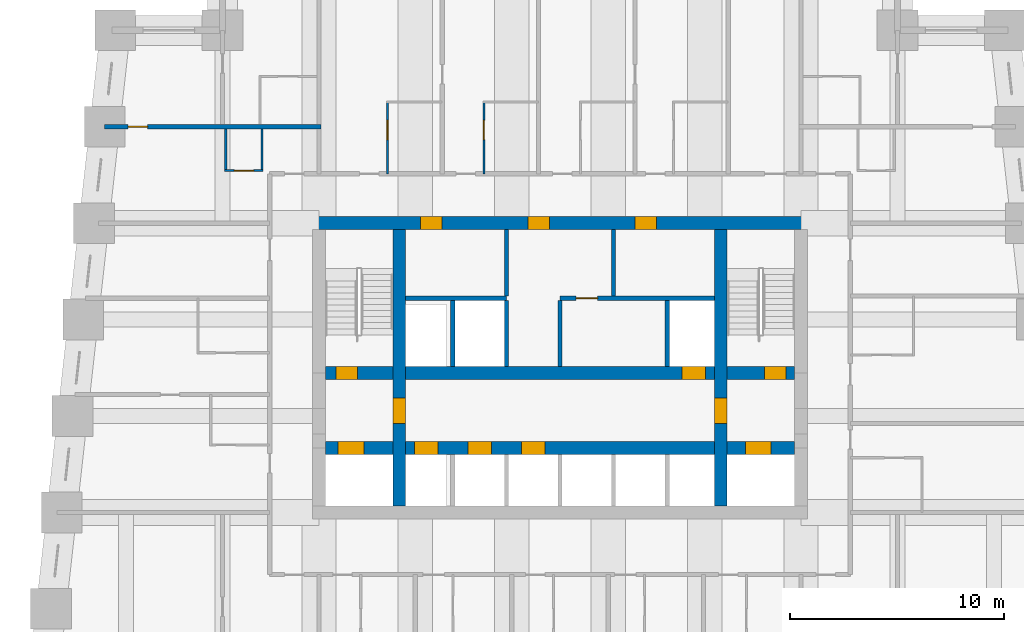
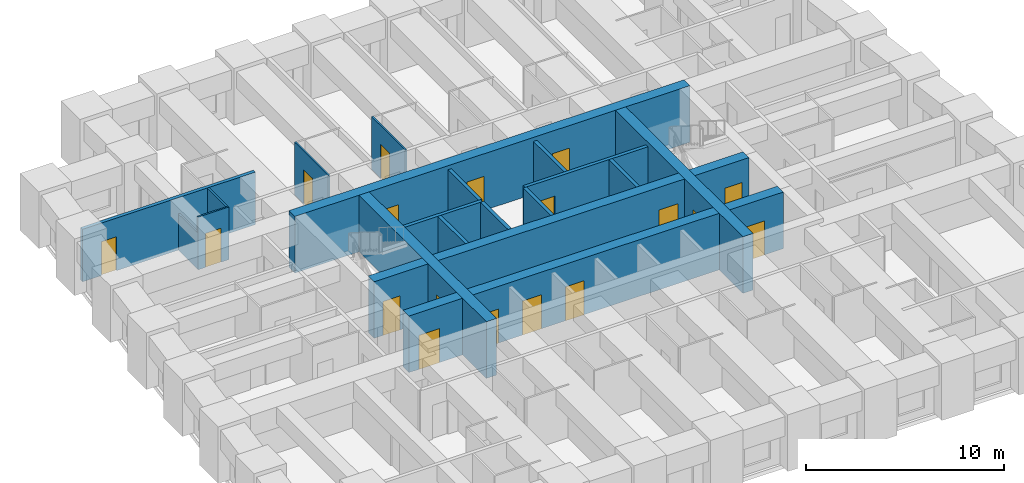
# One storey, part 4 of 8: 19 walls, 18 doors, 18 openings.
"""IFC4 building model written with IfcOpenShell, lengths in metres."""

from ifc_helpers import new_model, si_unit, direction, frame, frame_2d, origin, place, context, subcontext, project, spatial, rectangle, extrude, material, layer, layer_set, type_object, element, fill, save


model = new_model("IFC4")

# Units and contexts
model_context = context("Model", 3, precision=1e-05, world=origin(), true_north=direction((0.0, 1.0)))
body_context = subcontext(model_context, "Body", "Model", "MODEL_VIEW")
ifc_project = project(units=[si_unit("LENGTHUNIT", "METRE"), si_unit("AREAUNIT", "SQUARE_METRE"), si_unit("VOLUMEUNIT", "CUBIC_METRE"), si_unit("PLANEANGLEUNIT", "RADIAN"), si_unit("MASSUNIT", "GRAM", prefix="KILO")], contexts=[model_context])

# Site, building, storey
site_placement = place(None, origin())
site = spatial("IfcSite", under=ifc_project, at=site_placement, CompositionType="ELEMENT")
building_placement = place(site_placement, origin())
building = spatial("IfcBuilding", under=site, at=building_placement, Name="Kilele Tower Hotel", CompositionType="ELEMENT")
storey_placement = place(building_placement, frame((0.0, 0.0, 78.699951171875)))
storey = spatial("IfcBuildingStorey", under=building, at=storey_placement, Name="L19", CompositionType="ELEMENT", Elevation=78.699951171875)

# Wall, opening, door
ifc_material_1 = material(Name="Moisture-resistant board")
ifc_layer_1 = layer(ifc_material_1, 0.10009765625)
ifc_layer_set_1 = layer_set([ifc_layer_1], Name="Moisture-resistant board")
wall_type_1 = type_object("IfcWallType", Name="Bathroom partition 100", PredefinedType="PLUMBINGWALL", material=ifc_layer_set_1)
wall_1_placement = place(storey_placement, frame((16.699951171875, 29.300048828125, 0.0), z_axis=(0.0, 0.0, 1.0), x_axis=(0.0, 1.0, 0.0)))
wall_1 = element("IfcWall", 1, at=wall_1_placement, inside=storey, type_object=wall_type_1, Name="Bathroom partition 100 L19", PredefinedType="PLUMBINGWALL", context=body_context, shape_type="SweptSolid", body=[
    extrude(rectangle(XDim=3.39990234375, YDim=0.10009765625, at=frame_2d((1.699951171875, 0.0))), origin(), (0.0, 0.0, 1.0), 3.25),
])
opening_1_placement = place(wall_1_placement, frame((1.60009765625, 0.0, 0.0)))
opening_1 = element("IfcOpeningElement", 2, at=opening_1_placement, cuts=wall_1, Name="Opening D2A", PredefinedType="OPENING", context=body_context, shape_type="SweptSolid", body=[
    extrude(rectangle(XDim=0.89990234375, YDim=2.10009765625, at=frame_2d((0.449951171875, 1.050048828125))), frame((0.0, 0.06005859375, 0.0), z_axis=(0.0, -1.0, 0.0), x_axis=(1.0, 0.0, 0.0)), (0.0, 0.0, 1.0), 0.1201171875),
])
ifc_material_2 = material(Name="Timber door leaf in hardwood frame", Category="wood")
door_type_1 = type_object("IfcDoorType", Name="Bathroom door 900", OperationType="SINGLE_SWING_LEFT", PredefinedType="DOOR", material=ifc_material_2)
door_1_placement = place(opening_1_placement, origin())
door_1 = element("IfcDoor", 3, at=door_1_placement, inside=storey, type_object=door_type_1, Name="Bathroom door 1909B", OperationType="SINGLE_SWING_LEFT", OverallHeight=2.10009765625, OverallWidth=0.89990234375, PredefinedType="DOOR", context=body_context, shape_type="SweptSolid", body=[
    extrude(rectangle(XDim=0.89990234375, YDim=2.10009765625, at=frame_2d((0.449951171875, 1.050048828125))), frame((0.0, 0.02490234375, 0.0), z_axis=(0.0, -1.0, 0.0), x_axis=(1.0, 0.0, 0.0)), (0.0, 0.0, 1.0), 0.050048828125),
])
fill(opening_1, door_1)

wall_2_placement = place(storey_placement, frame((21.199951171875, 29.300048828125, 0.0), z_axis=(0.0, 0.0, 1.0), x_axis=(0.0, 1.0, 0.0)))
wall_2 = element("IfcWall", 4, at=wall_2_placement, inside=storey, type_object=wall_type_1, Name="Bathroom partition 100 L19", PredefinedType="PLUMBINGWALL", context=body_context, shape_type="SweptSolid", body=[
    extrude(rectangle(XDim=3.39990234375, YDim=0.10009765625, at=frame_2d((1.699951171875, 0.0))), origin(), (0.0, 0.0, 1.0), 3.25),
])
opening_2_placement = place(wall_2_placement, frame((1.60009765625, 0.0, 0.0)))
opening_2 = element("IfcOpeningElement", 5, at=opening_2_placement, cuts=wall_2, Name="Opening D2A", PredefinedType="OPENING", context=body_context, shape_type="SweptSolid", body=[
    extrude(rectangle(XDim=0.89990234375, YDim=2.10009765625, at=frame_2d((0.449951171875, 1.050048828125))), frame((0.0, 0.06005859375, 0.0), z_axis=(0.0, -1.0, 0.0), x_axis=(1.0, 0.0, 0.0)), (0.0, 0.0, 1.0), 0.1201171875),
])
door_2_placement = place(opening_2_placement, origin())
door_2 = element("IfcDoor", 6, at=door_2_placement, inside=storey, type_object=door_type_1, Name="Bathroom door 1910B", OperationType="SINGLE_SWING_LEFT", OverallHeight=2.10009765625, OverallWidth=0.89990234375, PredefinedType="DOOR", context=body_context, shape_type="SweptSolid", body=[
    extrude(rectangle(XDim=0.89990234375, YDim=2.10009765625, at=frame_2d((0.449951171875, 1.050048828125))), frame((0.0, 0.02490234375, 0.0), z_axis=(0.0, -1.0, 0.0), x_axis=(1.0, 0.0, 0.0)), (0.0, 0.0, 1.0), 0.050048828125),
])
fill(opening_2, door_2)

# Walls
wall_3_placement = place(storey_placement, frame((9.14990234375, 31.39990234375, 0.0), z_axis=(0.0, 0.0, 1.0), x_axis=(0.0, -1.0, 0.0)))
element("IfcWall", 7, at=wall_3_placement, inside=storey, type_object=wall_type_1, Name="Bathroom partition 100 L19", PredefinedType="PLUMBINGWALL", context=body_context, shape_type="SweptSolid", body=[
    extrude(rectangle(XDim=2.0, YDim=0.10009765625, at=frame_2d((1.0, 0.0))), origin(), (0.0, 0.0, 1.0), 2.25),
])
wall_4_placement = place(storey_placement, frame((10.85009765625, 31.39990234375, 0.0), z_axis=(0.0, 0.0, 1.0), x_axis=(0.0, -1.0, 0.0)))
element("IfcWall", 8, at=wall_4_placement, inside=storey, type_object=wall_type_1, Name="Bathroom partition 100 L19", PredefinedType="PLUMBINGWALL", context=body_context, shape_type="SweptSolid", body=[
    extrude(rectangle(XDim=2.0, YDim=0.10009765625, at=frame_2d((1.0, 0.0))), origin(), (0.0, 0.0, 1.0), 3.25),
])

# Wall, opening, door
wall_5_placement = place(storey_placement, frame((10.89990234375, 29.449951171875, 0.0), z_axis=(0.0, 0.0, 1.0), x_axis=(-1.0, 0.0, 0.0)))
wall_5 = element("IfcWall", 9, at=wall_5_placement, inside=storey, type_object=wall_type_1, Name="Bathroom partition 100 L19", PredefinedType="PLUMBINGWALL", context=body_context, shape_type="SweptSolid", body=[
    extrude(rectangle(XDim=1.7998046875, YDim=0.10009765625, at=frame_2d((0.89990234375, 0.0))), origin(), (0.0, 0.0, 1.0), 3.25),
])
opening_3_placement = place(wall_5_placement, frame((0.449951171875, 0.0, 0.0)))
opening_3 = element("IfcOpeningElement", 10, at=opening_3_placement, cuts=wall_5, Name="Opening D2A", PredefinedType="OPENING", context=body_context, shape_type="SweptSolid", body=[
    extrude(rectangle(XDim=0.89990234375, YDim=2.10009765625, at=frame_2d((0.449951171875, 1.050048828125))), frame((0.0, 0.06005859375, 0.0), z_axis=(0.0, -1.0, 0.0), x_axis=(1.0, 0.0, 0.0)), (0.0, 0.0, 1.0), 0.1201171875),
])
door_3_placement = place(opening_3_placement, origin())
door_3 = element("IfcDoor", 11, at=door_3_placement, inside=storey, type_object=door_type_1, Name="Bathroom door 1926P", OperationType="SINGLE_SWING_LEFT", OverallHeight=2.10009765625, OverallWidth=0.89990234375, PredefinedType="DOOR", context=body_context, shape_type="SweptSolid", body=[
    extrude(rectangle(XDim=0.89990234375, YDim=2.10009765625, at=frame_2d((0.449951171875, 1.050048828125))), frame((0.0, 0.02490234375, 0.0), z_axis=(0.0, -1.0, 0.0), x_axis=(1.0, 0.0, 0.0)), (0.0, 0.0, 1.0), 0.050048828125),
])
fill(opening_3, door_3)

# Wall, openings, doors
ifc_material_3 = material(Name="Concrete C60/75", Category="concrete")
ifc_layer_2 = layer(ifc_material_3, 0.60009765625)
ifc_layer_set_2 = layer_set([ifc_layer_2], Name="Concrete C60/75")
wall_type_2 = type_object("IfcWallType", Name="Core wall 600 C60/75", PredefinedType="SHEAR", material=ifc_layer_set_2)
wall_6_placement = place(storey_placement, frame((36.300048828125, 27.0, 0.0), z_axis=(0.0, 0.0, 1.0), x_axis=(-1.0, 0.0, 0.0)))
wall_6 = element("IfcWall", 12, at=wall_6_placement, inside=storey, type_object=wall_type_2, Name="Core wall N L19", PredefinedType="SHEAR", context=body_context, shape_type="SweptSolid", body=[
    extrude(rectangle(XDim=23.10009765625, YDim=0.60009765625, at=frame_2d((11.550048828125, 0.0))), origin(), (0.0, 0.0, 1.0), 3.5),
])
opening_4_placement = place(wall_6_placement, frame((17.050048828125, 0.0, 0.0)))
opening_4 = element("IfcOpeningElement", 13, at=opening_4_placement, cuts=wall_6, Name="Opening D6", PredefinedType="OPENING", context=body_context, shape_type="SweptSolid", body=[
    extrude(rectangle(XDim=1.0, YDim=2.10009765625, at=frame_2d((0.5, 1.050048828125))), frame((0.0, 0.31005859375, 0.0), z_axis=(0.0, -1.0, 0.0), x_axis=(1.0, 0.0, 0.0)), (0.0, 0.0, 1.0), 0.6201171875),
])
opening_5_placement = place(wall_6_placement, frame((12.050048828125, 0.0, 0.0)))
opening_5 = element("IfcOpeningElement", 14, at=opening_5_placement, cuts=wall_6, Name="Opening D6", PredefinedType="OPENING", context=body_context, shape_type="SweptSolid", body=[
    extrude(rectangle(XDim=1.0, YDim=2.10009765625, at=frame_2d((0.5, 1.050048828125))), frame((0.0, 0.31005859375, 0.0), z_axis=(0.0, -1.0, 0.0), x_axis=(1.0, 0.0, 0.0)), (0.0, 0.0, 1.0), 0.6201171875),
])
opening_6_placement = place(wall_6_placement, frame((7.050048828125, 0.0, 0.0)))
opening_6 = element("IfcOpeningElement", 15, at=opening_6_placement, cuts=wall_6, Name="Opening D6", PredefinedType="OPENING", context=body_context, shape_type="SweptSolid", body=[
    extrude(rectangle(XDim=1.0, YDim=2.10009765625, at=frame_2d((0.5, 1.050048828125))), frame((0.0, 0.31005859375, 0.0), z_axis=(0.0, -1.0, 0.0), x_axis=(1.0, 0.0, 0.0)), (0.0, 0.0, 1.0), 0.6201171875),
])
ifc_material_4 = material(Name="Timber door leaf in hardwood frame", Category="wood")
door_type_2 = type_object("IfcDoorType", Name="Riser door 1000", OperationType="SINGLE_SWING_LEFT", PredefinedType="DOOR", material=ifc_material_4)
door_4_placement = place(opening_4_placement, origin())
door_4 = element("IfcDoor", 16, at=door_4_placement, inside=storey, type_object=door_type_2, Name="Service riser door L19", OperationType="SINGLE_SWING_RIGHT", OverallHeight=2.10009765625, OverallWidth=1.0, PredefinedType="DOOR", context=body_context, shape_type="SweptSolid", body=[
    extrude(rectangle(XDim=1.0, YDim=2.10009765625, at=frame_2d((0.5, 1.050048828125))), frame((0.0, 0.2998046875, 0.0), z_axis=(0.0, -1.0, 0.0), x_axis=(1.0, 0.0, 0.0)), (0.0, 0.0, 1.0), 0.599609375),
])
fill(opening_4, door_4)
door_5_placement = place(opening_5_placement, origin())
door_5 = element("IfcDoor", 17, at=door_5_placement, inside=storey, type_object=door_type_2, Name="Housekeeping linen room door L19", OperationType="SINGLE_SWING_RIGHT", OverallHeight=2.10009765625, OverallWidth=1.0, PredefinedType="DOOR", context=body_context, shape_type="SweptSolid", body=[
    extrude(rectangle(XDim=1.0, YDim=2.10009765625, at=frame_2d((0.5, 1.050048828125))), frame((0.0, 0.2998046875, 0.0), z_axis=(0.0, -1.0, 0.0), x_axis=(1.0, 0.0, 0.0)), (0.0, 0.0, 1.0), 0.599609375),
])
fill(opening_5, door_5)
door_6_placement = place(opening_6_placement, origin())
door_6 = element("IfcDoor", 18, at=door_6_placement, inside=storey, type_object=door_type_2, Name="Electrical riser door L19", OperationType="SINGLE_SWING_RIGHT", OverallHeight=2.10009765625, OverallWidth=1.0, PredefinedType="DOOR", context=body_context, shape_type="SweptSolid", body=[
    extrude(rectangle(XDim=1.0, YDim=2.10009765625, at=frame_2d((0.5, 1.050048828125))), frame((0.0, 0.2998046875, 0.0), z_axis=(0.0, -1.0, 0.0), x_axis=(1.0, 0.0, 0.0)), (0.0, 0.0, 1.0), 0.599609375),
])
fill(opening_6, door_6)

# Wall, opening, door
wall_7_placement = place(storey_placement, frame((17.25, 13.800048828125, 0.0), z_axis=(0.0, 0.0, 1.0), x_axis=(0.0, 1.0, 0.0)))
wall_7 = element("IfcWall", 19, at=wall_7_placement, inside=storey, type_object=wall_type_2, Name="Core wall IW L19", PredefinedType="SHEAR", context=body_context, shape_type="SweptSolid", body=[
    extrude(rectangle(XDim=12.89990234375, YDim=0.60009765625, at=frame_2d((6.449951171875, 0.0))), origin(), (0.0, 0.0, 1.0), 3.5),
])
opening_7_placement = place(wall_7_placement, frame((3.85009765625, 0.0, 0.0)))
opening_7 = element("IfcOpeningElement", 20, at=opening_7_placement, cuts=wall_7, Name="Opening D4", PredefinedType="OPENING", context=body_context, shape_type="SweptSolid", body=[
    extrude(rectangle(XDim=1.199951171875, YDim=2.10009765625, at=frame_2d((0.60009765625, 1.050048828125))), frame((0.0, 0.31005859375, 0.0), z_axis=(0.0, -1.0, 0.0), x_axis=(1.0, 0.0, 0.0)), (0.0, 0.0, 1.0), 0.6201171875),
])
ifc_material_5 = material(Name="Timber door leaf in hardwood frame", Category="wood")
door_type_3 = type_object("IfcDoorType", Name="Firefighting lobby door 1200", OperationType="SINGLE_SWING_LEFT", PredefinedType="DOOR", material=ifc_material_5)
door_7_placement = place(opening_7_placement, origin())
door_7 = element("IfcDoor", 21, at=door_7_placement, inside=storey, type_object=door_type_3, Name="Lobby door L19", OperationType="SINGLE_SWING_LEFT", OverallHeight=2.10009765625, OverallWidth=1.199951171875, PredefinedType="DOOR", context=body_context, shape_type="SweptSolid", body=[
    extrude(rectangle(XDim=1.199951171875, YDim=2.10009765625, at=frame_2d((0.60009765625, 1.050048828125))), frame((0.0, 0.2998046875, 0.0), z_axis=(0.0, -1.0, 0.0), x_axis=(1.0, 0.0, 0.0)), (0.0, 0.0, 1.0), 0.599609375),
])
fill(opening_7, door_7)

wall_8_placement = place(storey_placement, frame((32.25, 13.800048828125, 0.0), z_axis=(0.0, 0.0, 1.0), x_axis=(0.0, 1.0, 0.0)))
wall_8 = element("IfcWall", 22, at=wall_8_placement, inside=storey, type_object=wall_type_2, Name="Core wall IE L19", PredefinedType="SHEAR", context=body_context, shape_type="SweptSolid", body=[
    extrude(rectangle(XDim=12.89990234375, YDim=0.60009765625, at=frame_2d((6.449951171875, 0.0))), origin(), (0.0, 0.0, 1.0), 3.5),
])
opening_8_placement = place(wall_8_placement, frame((5.050048828125, 0.0, 0.0), z_axis=(0.0, 0.0, 1.0), x_axis=(-1.0, 0.0, 0.0)))
opening_8 = element("IfcOpeningElement", 23, at=opening_8_placement, cuts=wall_8, Name="Opening D4", PredefinedType="OPENING", context=body_context, shape_type="SweptSolid", body=[
    extrude(rectangle(XDim=1.199951171875, YDim=2.10009765625, at=frame_2d((0.60009765625, 1.050048828125))), frame((0.0, 0.31005859375, 0.0), z_axis=(0.0, -1.0, 0.0), x_axis=(1.0, 0.0, 0.0)), (0.0, 0.0, 1.0), 0.6201171875),
])
door_8_placement = place(opening_8_placement, origin())
door_8 = element("IfcDoor", 24, at=door_8_placement, inside=storey, type_object=door_type_3, Name="Lobby door L19", OperationType="SINGLE_SWING_RIGHT", OverallHeight=2.10009765625, OverallWidth=1.199951171875, PredefinedType="DOOR", context=body_context, shape_type="SweptSolid", body=[
    extrude(rectangle(XDim=1.199951171875, YDim=2.10009765625, at=frame_2d((0.60009765625, 1.050048828125))), frame((0.0, 0.2998046875, 0.0), z_axis=(0.0, -1.0, 0.0), x_axis=(1.0, 0.0, 0.0)), (0.0, 0.0, 1.0), 0.599609375),
])
fill(opening_8, door_8)

# Wall, openings, doors
wall_9_placement = place(storey_placement, frame((13.800048828125, 16.5, 0.0), z_axis=(0.0, 0.0, 1.0), x_axis=(1.0, 0.0, 0.0)))
wall_9 = element("IfcWall", 25, at=wall_9_placement, inside=storey, type_object=wall_type_2, Name="Core wall LS L19", PredefinedType="SHEAR", context=body_context, shape_type="SweptSolid", body=[
    extrude(rectangle(XDim=21.89990234375, YDim=0.60009765625, at=frame_2d((10.949951171875, 0.0))), origin(), (0.0, 0.0, 1.0), 3.5),
])
opening_9_placement = place(wall_9_placement, frame((4.14990234375, 0.0, 0.0)))
opening_9 = element("IfcOpeningElement", 26, at=opening_9_placement, cuts=wall_9, Name="Opening LD1", PredefinedType="OPENING", context=body_context, shape_type="SweptSolid", body=[
    extrude(rectangle(XDim=1.10009765625, YDim=2.10009765625, at=frame_2d((0.550048828125, 1.050048828125))), frame((0.0, 0.31005859375, 0.0), z_axis=(0.0, -1.0, 0.0), x_axis=(1.0, 0.0, 0.0)), (0.0, 0.0, 1.0), 0.6201171875),
])
opening_10_placement = place(wall_9_placement, frame((6.64990234375, 0.0, 0.0)))
opening_10 = element("IfcOpeningElement", 27, at=opening_10_placement, cuts=wall_9, Name="Opening LD1", PredefinedType="OPENING", context=body_context, shape_type="SweptSolid", body=[
    extrude(rectangle(XDim=1.10009765625, YDim=2.10009765625, at=frame_2d((0.550048828125, 1.050048828125))), frame((0.0, 0.31005859375, 0.0), z_axis=(0.0, -1.0, 0.0), x_axis=(1.0, 0.0, 0.0)), (0.0, 0.0, 1.0), 0.6201171875),
])
opening_11_placement = place(wall_9_placement, frame((9.14990234375, 0.0, 0.0)))
opening_11 = element("IfcOpeningElement", 28, at=opening_11_placement, cuts=wall_9, Name="Opening LD1", PredefinedType="OPENING", context=body_context, shape_type="SweptSolid", body=[
    extrude(rectangle(XDim=1.10009765625, YDim=2.10009765625, at=frame_2d((0.550048828125, 1.050048828125))), frame((0.0, 0.31005859375, 0.0), z_axis=(0.0, -1.0, 0.0), x_axis=(1.0, 0.0, 0.0)), (0.0, 0.0, 1.0), 0.6201171875),
])
opening_12_placement = place(wall_9_placement, frame((0.60009765625, 0.0, 0.0)))
opening_12 = element("IfcOpeningElement", 29, at=opening_12_placement, cuts=wall_9, Name="Opening LD2", PredefinedType="OPENING", context=body_context, shape_type="SweptSolid", body=[
    extrude(rectangle(XDim=1.199951171875, YDim=2.10009765625, at=frame_2d((0.60009765625, 1.050048828125))), frame((0.0, 0.31005859375, 0.0), z_axis=(0.0, -1.0, 0.0), x_axis=(1.0, 0.0, 0.0)), (0.0, 0.0, 1.0), 0.6201171875),
])
opening_13_placement = place(wall_9_placement, frame((19.60009765625, 0.0, 0.0)))
opening_13 = element("IfcOpeningElement", 30, at=opening_13_placement, cuts=wall_9, Name="Opening LD2", PredefinedType="OPENING", context=body_context, shape_type="SweptSolid", body=[
    extrude(rectangle(XDim=1.199951171875, YDim=2.10009765625, at=frame_2d((0.60009765625, 1.050048828125))), frame((0.0, 0.31005859375, 0.0), z_axis=(0.0, -1.0, 0.0), x_axis=(1.0, 0.0, 0.0)), (0.0, 0.0, 1.0), 0.6201171875),
])
ifc_material_6 = material(Name="Steel lift landing door", Category="steel")
door_type_4 = type_object("IfcDoorType", Name="Firefighting lift landing door 1200", OperationType="SLIDING_TO_LEFT", PredefinedType="DOOR", material=ifc_material_6)
door_9_placement = place(opening_12_placement, origin())
door_9 = element("IfcDoor", 31, at=door_9_placement, inside=storey, type_object=door_type_4, Name="Landing door FFW L19", OperationType="SLIDING_TO_LEFT", OverallHeight=2.10009765625, OverallWidth=1.199951171875, PredefinedType="DOOR", context=body_context, shape_type="SweptSolid", body=[
    extrude(rectangle(XDim=1.199951171875, YDim=2.10009765625, at=frame_2d((0.60009765625, 1.050048828125))), frame((0.0, 0.2998046875, 0.0), z_axis=(0.0, -1.0, 0.0), x_axis=(1.0, 0.0, 0.0)), (0.0, 0.0, 1.0), 0.599609375),
])
fill(opening_12, door_9)
door_10_placement = place(opening_13_placement, origin())
door_10 = element("IfcDoor", 32, at=door_10_placement, inside=storey, type_object=door_type_4, Name="Landing door FFE L19", OperationType="SLIDING_TO_LEFT", OverallHeight=2.10009765625, OverallWidth=1.199951171875, PredefinedType="DOOR", context=body_context, shape_type="SweptSolid", body=[
    extrude(rectangle(XDim=1.199951171875, YDim=2.10009765625, at=frame_2d((0.60009765625, 1.050048828125))), frame((0.0, 0.2998046875, 0.0), z_axis=(0.0, -1.0, 0.0), x_axis=(1.0, 0.0, 0.0)), (0.0, 0.0, 1.0), 0.599609375),
])
fill(opening_13, door_10)
ifc_material_7 = material(Name="Steel lift landing door", Category="steel")
door_type_5 = type_object("IfcDoorType", Name="Lift landing door 1100", OperationType="SLIDING_TO_LEFT", PredefinedType="DOOR", material=ifc_material_7)
door_11_placement = place(opening_9_placement, origin())
door_11 = element("IfcDoor", 33, at=door_11_placement, inside=storey, type_object=door_type_5, Name="Landing door L1 L19", OperationType="SLIDING_TO_LEFT", OverallHeight=2.10009765625, OverallWidth=1.10009765625, PredefinedType="DOOR", context=body_context, shape_type="SweptSolid", body=[
    extrude(rectangle(XDim=1.10009765625, YDim=2.10009765625, at=frame_2d((0.550048828125, 1.050048828125))), frame((0.0, 0.2998046875, 0.0), z_axis=(0.0, -1.0, 0.0), x_axis=(1.0, 0.0, 0.0)), (0.0, 0.0, 1.0), 0.599609375),
])
fill(opening_9, door_11)
door_12_placement = place(opening_10_placement, origin())
door_12 = element("IfcDoor", 34, at=door_12_placement, inside=storey, type_object=door_type_5, Name="Landing door L2 L19", OperationType="SLIDING_TO_LEFT", OverallHeight=2.10009765625, OverallWidth=1.10009765625, PredefinedType="DOOR", context=body_context, shape_type="SweptSolid", body=[
    extrude(rectangle(XDim=1.10009765625, YDim=2.10009765625, at=frame_2d((0.550048828125, 1.050048828125))), frame((0.0, 0.2998046875, 0.0), z_axis=(0.0, -1.0, 0.0), x_axis=(1.0, 0.0, 0.0)), (0.0, 0.0, 1.0), 0.599609375),
])
fill(opening_10, door_12)
door_13_placement = place(opening_11_placement, origin())
door_13 = element("IfcDoor", 35, at=door_13_placement, inside=storey, type_object=door_type_5, Name="Landing door L3 L19", OperationType="SLIDING_TO_LEFT", OverallHeight=2.10009765625, OverallWidth=1.10009765625, PredefinedType="DOOR", context=body_context, shape_type="SweptSolid", body=[
    extrude(rectangle(XDim=1.10009765625, YDim=2.10009765625, at=frame_2d((0.550048828125, 1.050048828125))), frame((0.0, 0.2998046875, 0.0), z_axis=(0.0, -1.0, 0.0), x_axis=(1.0, 0.0, 0.0)), (0.0, 0.0, 1.0), 0.599609375),
])
fill(opening_11, door_13)

wall_10_placement = place(storey_placement, frame((13.800048828125, 20.0, 0.0), z_axis=(0.0, 0.0, 1.0), x_axis=(1.0, 0.0, 0.0)))
wall_10 = element("IfcWall", 36, at=wall_10_placement, inside=storey, type_object=wall_type_2, Name="Core wall LN L19", PredefinedType="SHEAR", context=body_context, shape_type="SweptSolid", body=[
    extrude(rectangle(XDim=21.89990234375, YDim=0.60009765625, at=frame_2d((10.949951171875, 0.0))), origin(), (0.0, 0.0, 1.0), 3.5),
])
opening_14_placement = place(wall_10_placement, frame((0.5, 0.0, 0.0)))
opening_14 = element("IfcOpeningElement", 37, at=opening_14_placement, cuts=wall_10, Name="Opening D5", PredefinedType="OPENING", context=body_context, shape_type="SweptSolid", body=[
    extrude(rectangle(XDim=1.0, YDim=2.10009765625, at=frame_2d((0.5, 1.050048828125))), frame((0.0, 0.31005859375, 0.0), z_axis=(0.0, -1.0, 0.0), x_axis=(1.0, 0.0, 0.0)), (0.0, 0.0, 1.0), 0.6201171875),
])
opening_15_placement = place(wall_10_placement, frame((20.5, 0.0, 0.0)))
opening_15 = element("IfcOpeningElement", 38, at=opening_15_placement, cuts=wall_10, Name="Opening D5", PredefinedType="OPENING", context=body_context, shape_type="SweptSolid", body=[
    extrude(rectangle(XDim=1.0, YDim=2.10009765625, at=frame_2d((0.5, 1.050048828125))), frame((0.0, 0.31005859375, 0.0), z_axis=(0.0, -1.0, 0.0), x_axis=(1.0, 0.0, 0.0)), (0.0, 0.0, 1.0), 0.6201171875),
])
opening_16_placement = place(wall_10_placement, frame((16.64990234375, 0.0, 0.0)))
opening_16 = element("IfcOpeningElement", 39, at=opening_16_placement, cuts=wall_10, Name="Opening LD1", PredefinedType="OPENING", context=body_context, shape_type="SweptSolid", body=[
    extrude(rectangle(XDim=1.10009765625, YDim=2.10009765625, at=frame_2d((0.550048828125, 1.050048828125))), frame((0.0, 0.31005859375, 0.0), z_axis=(0.0, -1.0, 0.0), x_axis=(1.0, 0.0, 0.0)), (0.0, 0.0, 1.0), 0.6201171875),
])
door_14_placement = place(opening_16_placement, origin())
door_14 = element("IfcDoor", 40, at=door_14_placement, inside=storey, type_object=door_type_5, Name="Landing door G1 L19", OperationType="SLIDING_TO_LEFT", OverallHeight=2.10009765625, OverallWidth=1.10009765625, PredefinedType="DOOR", context=body_context, shape_type="SweptSolid", body=[
    extrude(rectangle(XDim=1.10009765625, YDim=2.10009765625, at=frame_2d((0.550048828125, 1.050048828125))), frame((0.0, 0.2998046875, 0.0), z_axis=(0.0, -1.0, 0.0), x_axis=(1.0, 0.0, 0.0)), (0.0, 0.0, 1.0), 0.599609375),
])
fill(opening_16, door_14)
ifc_material_8 = material(Name="Timber door leaf in hardwood frame", Category="wood")
door_type_6 = type_object("IfcDoorType", Name="Stair door 1000", OperationType="SINGLE_SWING_LEFT", PredefinedType="DOOR", material=ifc_material_8)
door_15_placement = place(opening_14_placement, origin())
door_15 = element("IfcDoor", 41, at=door_15_placement, inside=storey, type_object=door_type_6, Name="Stair 1 door L19", OperationType="SINGLE_SWING_LEFT", OverallHeight=2.10009765625, OverallWidth=1.0, PredefinedType="DOOR", context=body_context, shape_type="SweptSolid", body=[
    extrude(rectangle(XDim=1.0, YDim=2.10009765625, at=frame_2d((0.5, 1.050048828125))), frame((0.0, 0.2998046875, 0.0), z_axis=(0.0, -1.0, 0.0), x_axis=(1.0, 0.0, 0.0)), (0.0, 0.0, 1.0), 0.599609375),
])
fill(opening_14, door_15)
door_16_placement = place(opening_15_placement, origin())
door_16 = element("IfcDoor", 42, at=door_16_placement, inside=storey, type_object=door_type_6, Name="Stair 2 door L19", OperationType="SINGLE_SWING_RIGHT", OverallHeight=2.10009765625, OverallWidth=1.0, PredefinedType="DOOR", context=body_context, shape_type="SweptSolid", body=[
    extrude(rectangle(XDim=1.0, YDim=2.10009765625, at=frame_2d((0.5, 1.050048828125))), frame((0.0, 0.2998046875, 0.0), z_axis=(0.0, -1.0, 0.0), x_axis=(1.0, 0.0, 0.0)), (0.0, 0.0, 1.0), 0.599609375),
])
fill(opening_15, door_16)

# Wall, opening, door
ifc_material_9 = material(Name="Blockwork, plastered both sides", Category="masonry")
ifc_layer_3 = layer(ifc_material_9, 0.199951171875)
ifc_layer_set_3 = layer_set([ifc_layer_3], Name="Blockwork, plastered both sides")
wall_type_3 = type_object("IfcWallType", Name="Party wall 200", PredefinedType="PARTITIONING", material=ifc_layer_set_3)
wall_11_placement = place(storey_placement, frame((13.60009765625, 31.5, 0.0), z_axis=(0.0, 0.0, 1.0), x_axis=(-1.0, 0.0, 0.0)))
wall_11 = element("IfcWall", 43, at=wall_11_placement, inside=storey, type_object=wall_type_3, Name="Party wall 200 L19", PredefinedType="PARTITIONING", context=body_context, shape_type="SweptSolid", body=[
    extrude(rectangle(XDim=10.09912109375, YDim=0.199951171875, at=frame_2d((5.049560546875, 0.0))), origin(), (0.0, 0.0, 1.0), 3.25),
])
opening_17_placement = place(wall_11_placement, frame((8.9990234375, 0.0, 0.0), z_axis=(0.0, 0.0, 1.0), x_axis=(-1.0, 0.0, 0.0)))
opening_17 = element("IfcOpeningElement", 44, at=opening_17_placement, cuts=wall_11, Name="Opening D3", PredefinedType="OPENING", context=body_context, shape_type="SweptSolid", body=[
    extrude(rectangle(XDim=0.89990234375, YDim=2.10009765625, at=frame_2d((0.449951171875, 1.050048828125))), frame((0.0, 0.10986328125, 0.0), z_axis=(0.0, -1.0, 0.0), x_axis=(1.0, 0.0, 0.0)), (0.0, 0.0, 1.0), 0.219970703125),
])
ifc_material_10 = material(Name="Timber door leaf in hardwood frame", Category="wood")
door_type_7 = type_object("IfcDoorType", Name="Suite internal door 900", OperationType="SINGLE_SWING_LEFT", PredefinedType="DOOR", material=ifc_material_10)
door_17_placement = place(opening_17_placement, origin())
door_17 = element("IfcDoor", 45, at=door_17_placement, inside=storey, type_object=door_type_7, Name="Suite door 1927", OperationType="SINGLE_SWING_LEFT", OverallHeight=2.10009765625, OverallWidth=0.89990234375, PredefinedType="DOOR", context=body_context, shape_type="SweptSolid", body=[
    extrude(rectangle(XDim=0.89990234375, YDim=2.10009765625, at=frame_2d((0.449951171875, 1.050048828125))), frame((0.0, 0.02490234375, 0.0), z_axis=(0.0, -1.0, 0.0), x_axis=(1.0, 0.0, 0.0)), (0.0, 0.0, 1.0), 0.050048828125),
])
fill(opening_17, door_17)

# Walls
ifc_material_11 = material(Name="Blockwork, fire-rated", Category="masonry")
ifc_layer_4 = layer(ifc_material_11, 0.199951171875)
ifc_layer_set_4 = layer_set([ifc_layer_4], Name="Blockwork, fire-rated")
wall_type_4 = type_object("IfcWallType", Name="Shaft wall 200", PredefinedType="PARTITIONING", material=ifc_layer_set_4)
for number, where, z_axis, x_axis, name in (
    (46, (19.75, 20.300048828125, 0.0), (0.0, 0.0, 1.0), (0.0, 1.0, 0.0), "Shaft wall 200 L19"),
    (47, (22.25, 20.300048828125, 0.0), (0.0, 0.0, 1.0), (0.0, 1.0, 0.0), "Shaft wall 200 L19"),
    (48, (24.75, 20.300048828125, 0.0), (0.0, 0.0, 1.0), (0.0, 1.0, 0.0), "Shaft wall 200 L19"),
    (49, (29.75, 20.300048828125, 0.0), (0.0, 0.0, 1.0), (0.0, 1.0, 0.0), "Shaft wall 200 L19"),
):
    element("IfcWall", number, at=place(storey_placement, frame(where, z_axis=z_axis, x_axis=x_axis)), inside=storey, type_object=wall_type_4, Name=name, PredefinedType="PARTITIONING", context=body_context, shape_type="SweptSolid", body=[
        extrude(rectangle(XDim=3.099853515625, YDim=0.199951171875, at=frame_2d((1.5498046875, 0.0))), origin(), (0.0, 0.0, 1.0), 3.25),
    ])
wall_12_placement = place(storey_placement, frame((17.550048828125, 23.5, 0.0), z_axis=(0.0, 0.0, 1.0), x_axis=(1.0, 0.0, 0.0)))
element("IfcWall", 50, at=wall_12_placement, inside=storey, type_object=wall_type_4, Name="Shaft wall 200 L19", PredefinedType="PARTITIONING", context=body_context, shape_type="SweptSolid", body=[
    extrude(rectangle(XDim=4.699951171875, YDim=0.199951171875, at=frame_2d((2.35009765625, 0.0))), origin(), (0.0, 0.0, 1.0), 3.25),
])

# Wall, opening, door
wall_13_placement = place(storey_placement, frame((24.75, 23.5, 0.0), z_axis=(0.0, 0.0, 1.0), x_axis=(1.0, 0.0, 0.0)))
wall_13 = element("IfcWall", 51, at=wall_13_placement, inside=storey, type_object=wall_type_4, Name="Shaft wall 200 L19", PredefinedType="PARTITIONING", context=body_context, shape_type="SweptSolid", body=[
    extrude(rectangle(XDim=7.199951171875, YDim=0.199951171875, at=frame_2d((3.60009765625, 0.0))), origin(), (0.0, 0.0, 1.0), 3.25),
])
opening_18_placement = place(wall_13_placement, frame((0.75, 0.0, 0.0)))
opening_18 = element("IfcOpeningElement", 52, at=opening_18_placement, cuts=wall_13, Name="Opening D11", PredefinedType="OPENING", context=body_context, shape_type="SweptSolid", body=[
    extrude(rectangle(XDim=1.0, YDim=2.10009765625, at=frame_2d((0.5, 1.050048828125))), frame((0.0, 0.10986328125, 0.0), z_axis=(0.0, -1.0, 0.0), x_axis=(1.0, 0.0, 0.0)), (0.0, 0.0, 1.0), 0.219970703125),
])
ifc_material_12 = material(Name="Timber door leaf in hardwood frame", Category="wood")
door_type_8 = type_object("IfcDoorType", Name="Core store door 1000", OperationType="SINGLE_SWING_LEFT", PredefinedType="DOOR", material=ifc_material_12)
door_18_placement = place(opening_18_placement, origin())
door_18 = element("IfcDoor", 53, at=door_18_placement, inside=storey, type_object=door_type_8, Name="Core room door H2", OperationType="SINGLE_SWING_RIGHT", OverallHeight=2.10009765625, OverallWidth=1.0, PredefinedType="DOOR", context=body_context, shape_type="SweptSolid", body=[
    extrude(rectangle(XDim=1.0, YDim=2.10009765625, at=frame_2d((0.5, 1.050048828125))), frame((0.0, 0.02490234375, 0.0), z_axis=(0.0, -1.0, 0.0), x_axis=(1.0, 0.0, 0.0)), (0.0, 0.0, 1.0), 0.050048828125),
])
fill(opening_18, door_18)

# Walls
for number, where, z_axis, x_axis, name in (
    (54, (22.25, 23.60009765625, 0.0), (0.0, 0.0, 1.0), (0.0, 1.0, 0.0), "Shaft wall 200 L19"),
    (55, (27.25, 23.60009765625, 0.0), (0.0, 0.0, 1.0), (0.0, 1.0, 0.0), "Shaft wall 200 L19"),
):
    element("IfcWall", number, at=place(storey_placement, frame(where, z_axis=z_axis, x_axis=x_axis)), inside=storey, type_object=wall_type_4, Name=name, PredefinedType="PARTITIONING", context=body_context, shape_type="SweptSolid", body=[
        extrude(rectangle(XDim=3.099853515625, YDim=0.199951171875, at=frame_2d((1.5498046875, 0.0))), origin(), (0.0, 0.0, 1.0), 3.25),
    ])

save(model, "model.ifc")
